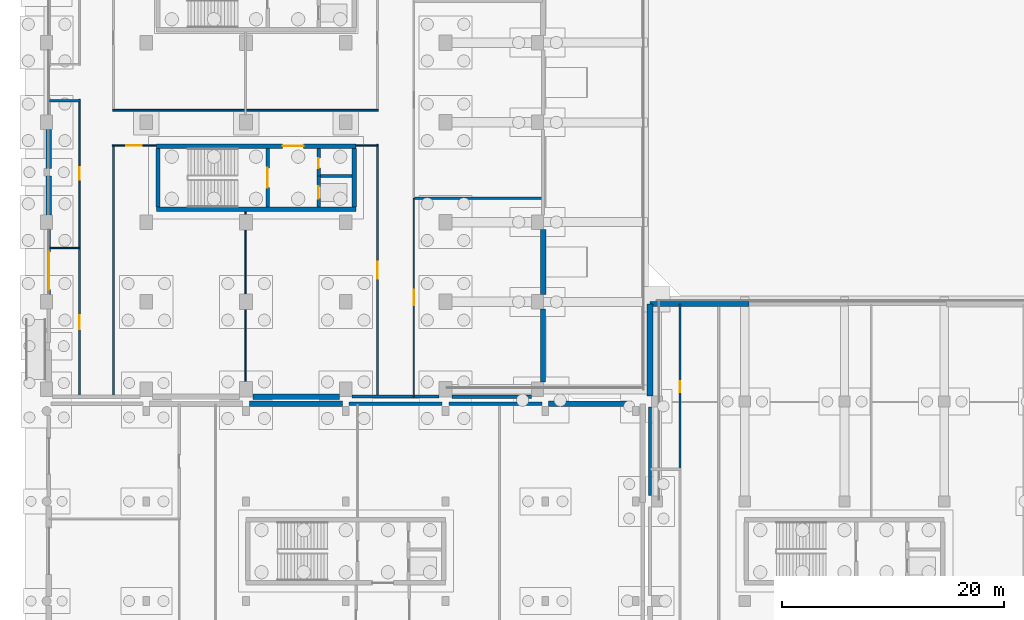
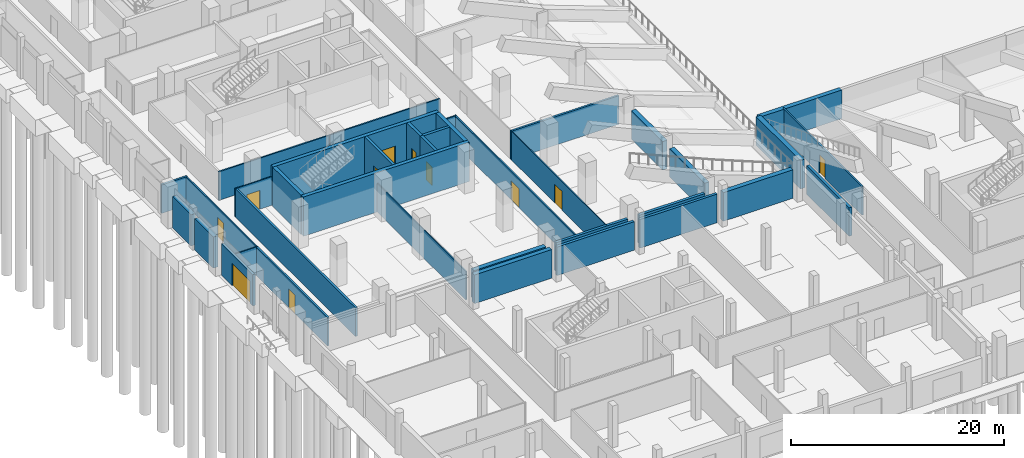
# One storey, part 15 of 53: 37 walls, 11 doors, 11 openings.
"""IFC4 building model written with IfcOpenShell, lengths in metres."""

from ifc_helpers import new_model, si_unit, direction, frame, frame_2d, origin, place, context, subcontext, project, spatial, rectangle, extrude, material, layer, layer_set, type_object, element, fill, save


model = new_model("IFC4")

# Units and contexts
model_context = context("Model", 3, precision=1e-05, world=origin(), true_north=direction((0.0, 1.0)))
body_context = subcontext(model_context, "Body", "Model", "MODEL_VIEW")
ifc_project = project(units=[si_unit("LENGTHUNIT", "METRE"), si_unit("AREAUNIT", "SQUARE_METRE"), si_unit("VOLUMEUNIT", "CUBIC_METRE"), si_unit("PLANEANGLEUNIT", "RADIAN"), si_unit("MASSUNIT", "GRAM", prefix="KILO"), si_unit("THERMODYNAMICTEMPERATUREUNIT", "KELVIN"), si_unit("POWERUNIT", "WATT")], contexts=[model_context])

# Site, building, storey
site_placement = place(None, origin())
site = spatial("IfcSite", under=ifc_project, at=site_placement, CompositionType="ELEMENT")
building_placement = place(site_placement, origin())
building = spatial("IfcBuilding", under=site, at=building_placement, Name="Sindhuravela Promenade Stadium", CompositionType="ELEMENT")
storey_placement = place(building_placement, origin())
storey = spatial("IfcBuildingStorey", under=building, at=storey_placement, Name="L00", CompositionType="ELEMENT", Elevation=0.0)

# Wall, opening, door
ifc_material_1 = material(Name="Dholpur sandstone ashlar (45 MPa)", Category="masonry")
ifc_layer_1 = layer(ifc_material_1, 0.2900390625)
ifc_layer_set_1 = layer_set([ifc_layer_1], Name="Dholpur sandstone ashlar (45 MPa)")
wall_type_1 = type_object("IfcWallType", Name="EX-WL-SND290", PredefinedType="SOLIDWALL", material=ifc_layer_set_1)
wall_1_placement = place(storey_placement, frame((0.199951171875, 45.655029296875, 0.0), z_axis=(0.0, 0.0, 1.0), x_axis=(0.0, 1.0, 0.0)))
wall_1 = element("IfcWall", 1, at=wall_1_placement, inside=storey, type_object=wall_type_1, Name="Exterior masonry wall EW10 WEST L00", PredefinedType="SOLIDWALL", context=body_context, shape_type="SweptSolid", body=[
    extrude(rectangle(XDim=5.889892578125, YDim=0.2900390625, at=frame_2d((2.94482421875, 0.0))), origin(), (0.0, 0.0, 1.0), 3.580078125),
])
opening_1_placement = place(wall_1_placement, frame((0.4599609375, 0.0, 0.0)))
opening_1 = element("IfcOpeningElement", 2, at=opening_1_placement, cuts=wall_1, Name="Opening E11", PredefinedType="OPENING", context=body_context, shape_type="SweptSolid", body=[
    extrude(rectangle(XDim=3.39990234375, YDim=2.550048828125, at=frame_2d((1.699951171875, 1.27490234375))), frame((0.0, 0.155029296875, 0.0), z_axis=(0.0, -1.0, 0.0), x_axis=(1.0, 0.0, 0.0)), (0.0, 0.0, 1.0), 0.31005859375),
])
ifc_material_2 = material(Name="Anodised architectural aluminium 6063-T6", Category="aluminium")
door_type_1 = type_object("IfcDoorType", Name="DR-EXIT-3400x2550", OperationType="DOUBLE_DOOR_SINGLE_SWING", PredefinedType="DOOR", material=ifc_material_2)
door_1_placement = place(opening_1_placement, origin())
door_1 = element("IfcDoor", 3, at=door_1_placement, inside=storey, type_object=door_type_1, Name="Final exit door E11", OperationType="DOUBLE_DOOR_SINGLE_SWING", OverallHeight=2.550048828125, OverallWidth=3.39990234375, PredefinedType="DOOR", context=body_context, shape_type="SweptSolid", body=[
    extrude(rectangle(XDim=3.39990234375, YDim=2.550048828125, at=frame_2d((1.699951171875, 1.27490234375))), frame((0.0, 0.02490234375, 0.0), z_axis=(0.0, -1.0, 0.0), x_axis=(1.0, 0.0, 0.0)), (0.0, 0.0, 1.0), 0.050048828125),
])
fill(opening_1, door_1)

# Walls
wall_2_placement = place(storey_placement, frame((35.39501953125, 36.449951171875, 0.0), z_axis=(0.0, 0.0, 1.0), x_axis=(-1.0, 0.0, 0.0)))
element("IfcWall", 4, at=wall_2_placement, inside=storey, type_object=wall_type_1, Name="Exterior masonry wall EW10 WEST L00", PredefinedType="SOLIDWALL", context=body_context, shape_type="SweptSolid", body=[
    extrude(rectangle(XDim=7.840087890625, YDim=0.2900390625, at=frame_2d((3.919921875, 0.0))), origin(), (0.0, 0.0, 1.0), 3.280029296875),
])
wall_3_placement = place(storey_placement, frame((54.449951171875, 27.5048828125, 0.0), z_axis=(0.0, 0.0, 1.0), x_axis=(0.0, 1.0, 0.0)))
element("IfcWall", 5, at=wall_3_placement, inside=storey, type_object=wall_type_1, Name="Exterior masonry wall EW10 SOUTH L00", PredefinedType="SOLIDWALL", context=body_context, shape_type="SweptSolid", body=[
    extrude(rectangle(XDim=7.990234375, YDim=0.2900390625, at=frame_2d((3.9951171875, 0.0))), origin(), (0.0, 0.0, 1.0), 3.280029296875),
])
wall_4_placement = place(storey_placement, frame((36.304931640625, 35.800048828125, 0.0), z_axis=(0.0, 0.0, 1.0), x_axis=(1.0, 0.0, 0.0)))
element("IfcWall", 6, at=wall_4_placement, inside=storey, type_object=wall_type_1, Name="Exterior masonry wall EW10 Pavilion SW L00", PredefinedType="SOLIDWALL", context=body_context, shape_type="SweptSolid", body=[
    extrude(rectangle(XDim=8.39013671875, YDim=0.2900390625, at=frame_2d((4.195068359375, 0.0))), origin(), (0.0, 0.0, 1.0), 3.280029296875),
])
ifc_layer_2 = layer(ifc_material_1, 0.31005859375)
ifc_layer_set_2 = layer_set([ifc_layer_2], Name="Dholpur sandstone ashlar (45 MPa)")
wall_type_2 = type_object("IfcWallType", Name="EX-WL-SND310", PredefinedType="SOLIDWALL", material=ifc_layer_set_2)
wall_5_placement = place(storey_placement, frame((43.7451171875, 36.449951171875, 0.0), z_axis=(0.0, 0.0, 1.0), x_axis=(-1.0, 0.0, 0.0)))
element("IfcWall", 7, at=wall_5_placement, inside=storey, type_object=wall_type_2, Name="Exterior masonry wall EW09 WEST L00", PredefinedType="SOLIDWALL", context=body_context, shape_type="SweptSolid", body=[
    extrude(rectangle(XDim=7.14013671875, YDim=0.31005859375, at=frame_2d((3.570068359375, 0.0))), origin(), (0.0, 0.0, 1.0), 3.280029296875),
])
wall_6_placement = place(storey_placement, frame((27.304931640625, 35.800048828125, 0.0), z_axis=(0.0, 0.0, 1.0), x_axis=(1.0, 0.0, 0.0)))
element("IfcWall", 8, at=wall_6_placement, inside=storey, type_object=wall_type_2, Name="Exterior masonry wall EW09 Pavilion SW L00", PredefinedType="SOLIDWALL", context=body_context, shape_type="SweptSolid", body=[
    extrude(rectangle(XDim=8.39013671875, YDim=0.31005859375, at=frame_2d((4.195068359375, 0.0))), origin(), (0.0, 0.0, 1.0), 3.280029296875),
])
ifc_layer_3 = layer(ifc_material_1, 0.47998046875)
ifc_layer_set_3 = layer_set([ifc_layer_3], Name="Dholpur sandstone ashlar (45 MPa)")
wall_type_3 = type_object("IfcWallType", Name="EX-WL-SND480", PredefinedType="SOLIDWALL", material=ifc_layer_set_3)
wall_7_placement = place(storey_placement, frame((0.199951171875, 57.054931640625, 0.0), z_axis=(0.0, 0.0, 1.0), x_axis=(0.0, 1.0, 0.0)))
element("IfcWall", 9, at=wall_7_placement, inside=storey, type_object=wall_type_3, Name="Exterior masonry wall EW08 WEST L00", PredefinedType="SOLIDWALL", context=body_context, shape_type="SweptSolid", body=[
    extrude(rectangle(XDim=3.489990234375, YDim=0.47998046875, at=frame_2d((1.7451171875, 0.0))), origin(), (0.0, 0.0, 1.0), 3.580078125),
])
wall_8_placement = place(storey_placement, frame((44.800048828125, 44.344970703125, 0.0), z_axis=(0.0, 0.0, 1.0), x_axis=(0.0, -1.0, 0.0)))
element("IfcWall", 10, at=wall_8_placement, inside=storey, type_object=wall_type_3, Name="Exterior masonry wall EW08 WEST L00", PredefinedType="SOLIDWALL", context=body_context, shape_type="SweptSolid", body=[
    extrude(rectangle(XDim=6.590087890625, YDim=0.47998046875, at=frame_2d((3.294921875, 0.0))), origin(), (0.0, 0.0, 1.0), 3.280029296875),
])
wall_9_placement = place(storey_placement, frame((54.449951171875, 44.800048828125, 0.0), z_axis=(0.0, 0.0, 1.0), x_axis=(1.0, 0.0, 0.0)))
element("IfcWall", 11, at=wall_9_placement, inside=storey, type_object=wall_type_3, Name="Exterior masonry wall EW08 SOUTH L00", PredefinedType="SOLIDWALL", context=body_context, shape_type="SweptSolid", body=[
    extrude(rectangle(XDim=8.925048828125, YDim=0.47998046875, at=frame_2d((4.46240234375, 0.0))), origin(), (0.0, 0.0, 1.0), 3.280029296875),
])
wall_10_placement = place(storey_placement, frame((18.304931640625, 35.800048828125, 0.0), z_axis=(0.0, 0.0, 1.0), x_axis=(1.0, 0.0, 0.0)))
element("IfcWall", 12, at=wall_10_placement, inside=storey, type_object=wall_type_3, Name="Exterior masonry wall EW08 Pavilion SW L00", PredefinedType="SOLIDWALL", context=body_context, shape_type="SweptSolid", body=[
    extrude(rectangle(XDim=8.39013671875, YDim=0.47998046875, at=frame_2d((4.195068359375, 0.0))), origin(), (0.0, 0.0, 1.0), 3.280029296875),
])
ifc_layer_4 = layer(ifc_material_1, 0.5)
ifc_layer_set_4 = layer_set([ifc_layer_4], Name="Dholpur sandstone ashlar (45 MPa)")
wall_type_4 = type_object("IfcWallType", Name="EX-WL-SND500", PredefinedType="SOLIDWALL", material=ifc_layer_set_4)
wall_11_placement = place(storey_placement, frame((0.199951171875, 52.85498046875, 0.0), z_axis=(0.0, 0.0, 1.0), x_axis=(0.0, 1.0, 0.0)))
element("IfcWall", 13, at=wall_11_placement, inside=storey, type_object=wall_type_4, Name="Exterior masonry wall EW07 WEST L00", PredefinedType="SOLIDWALL", context=body_context, shape_type="SweptSolid", body=[
    extrude(rectangle(XDim=3.489990234375, YDim=0.5, at=frame_2d((1.7451171875, 0.0))), origin(), (0.0, 0.0, 1.0), 3.580078125),
])
wall_12_placement = place(storey_placement, frame((44.800048828125, 51.544921875, 0.0), z_axis=(0.0, 0.0, 1.0), x_axis=(0.0, -1.0, 0.0)))
element("IfcWall", 14, at=wall_12_placement, inside=storey, type_object=wall_type_4, Name="Exterior masonry wall EW07 WEST L00", PredefinedType="SOLIDWALL", context=body_context, shape_type="SweptSolid", body=[
    extrude(rectangle(XDim=5.889892578125, YDim=0.5, at=frame_2d((2.94482421875, 0.0))), origin(), (0.0, 0.0, 1.0), 3.280029296875),
])
wall_13_placement = place(storey_placement, frame((26.445068359375, 36.449951171875, 0.0), z_axis=(0.0, 0.0, 1.0), x_axis=(-1.0, 0.0, 0.0)))
element("IfcWall", 15, at=wall_13_placement, inside=storey, type_object=wall_type_4, Name="Exterior masonry wall EW07 WEST L00", PredefinedType="SOLIDWALL", context=body_context, shape_type="SweptSolid", body=[
    extrude(rectangle(XDim=7.840087890625, YDim=0.5, at=frame_2d((3.919921875, 0.0))), origin(), (0.0, 0.0, 1.0), 3.280029296875),
])
wall_14_placement = place(storey_placement, frame((54.449951171875, 36.5048828125, 0.0), z_axis=(0.0, 0.0, 1.0), x_axis=(0.0, 1.0, 0.0)))
element("IfcWall", 16, at=wall_14_placement, inside=storey, type_object=wall_type_4, Name="Exterior masonry wall EW07 SOUTH L00", PredefinedType="SOLIDWALL", context=body_context, shape_type="SweptSolid", body=[
    extrude(rectangle(XDim=8.295166015625, YDim=0.5, at=frame_2d((4.1474609375, 0.0))), origin(), (0.0, 0.0, 1.0), 3.280029296875),
])
wall_15_placement = place(storey_placement, frame((45.304931640625, 35.800048828125, 0.0), z_axis=(0.0, 0.0, 1.0), x_axis=(1.0, 0.0, 0.0)))
element("IfcWall", 17, at=wall_15_placement, inside=storey, type_object=wall_type_4, Name="Exterior masonry wall EW07 Pavilion SW L00", PredefinedType="SOLIDWALL", context=body_context, shape_type="SweptSolid", body=[
    extrude(rectangle(XDim=7.5400390625, YDim=0.5, at=frame_2d((3.77001953125, 0.0))), origin(), (0.0, 0.0, 1.0), 3.280029296875),
])
ifc_material_3 = material(Name="Fire-rated gypsum partition board", Category="gypsum")
ifc_layer_5 = layer(ifc_material_3, 0.110107421875)
ifc_layer_set_5 = layer_set([ifc_layer_5], Name="Fire-rated gypsum partition board")
wall_type_5 = type_object("IfcWallType", Name="IN-WL-PAR110", PredefinedType="PARTITIONING", material=ifc_layer_set_5)
wall_16_placement = place(storey_placement, frame((17.949951171875, 53.14794921875, 0.0), z_axis=(0.0, 0.0, 1.0), x_axis=(0.0, -1.0, 0.0)))
element("IfcWall", 18, at=wall_16_placement, inside=storey, type_object=wall_type_5, Name="Interior partition IW06 WEST L00", PredefinedType="PARTITIONING", context=body_context, shape_type="SweptSolid", body=[
    extrude(rectangle(XDim=16.657958984375, YDim=0.110107421875, at=frame_2d((8.3291015625, 0.0))), origin(), (0.0, 0.0, 1.0), 3.280029296875),
])

# Wall, opening, door
wall_17_placement = place(storey_placement, frame((33.139892578125, 54.342041015625, 0.0), z_axis=(0.0, 0.0, 1.0), x_axis=(0.0, -1.0, 0.0)))
wall_17 = element("IfcWall", 19, at=wall_17_placement, inside=storey, type_object=wall_type_5, Name="Corridor partition IW06 Match Officials Suite", PredefinedType="PARTITIONING", context=body_context, shape_type="SweptSolid", body=[
    extrude(rectangle(XDim=17.89208984375, YDim=0.110107421875, at=frame_2d((8.946044921875, 0.0))), origin(), (0.0, 0.0, 1.0), 3.280029296875),
])
opening_2_placement = place(wall_17_placement, frame((8.24609375, 0.0, 0.0)))
opening_2 = element("IfcOpeningElement", 20, at=opening_2_placement, cuts=wall_17, Name="Opening ID03", PredefinedType="OPENING", context=body_context, shape_type="SweptSolid", body=[
    extrude(rectangle(XDim=1.39990234375, YDim=2.14990234375, at=frame_2d((0.699951171875, 1.074951171875))), frame((0.0, 0.06494140625, 0.0), z_axis=(0.0, -1.0, 0.0), x_axis=(1.0, 0.0, 0.0)), (0.0, 0.0, 1.0), 0.130126953125),
])
ifc_material_4 = material(Name="Architectural teak timber leaf", Category="wood")
door_type_2 = type_object("IfcDoorType", Name="DR-INT-1400x2150", OperationType="DOUBLE_DOOR_SINGLE_SWING", PredefinedType="DOOR", material=ifc_material_4)
door_2_placement = place(opening_2_placement, origin())
door_2 = element("IfcDoor", 21, at=door_2_placement, inside=storey, type_object=door_type_2, Name="Match Officials Suite door", OperationType="DOUBLE_DOOR_SINGLE_SWING", OverallHeight=2.14990234375, OverallWidth=1.39990234375, PredefinedType="DOOR", context=body_context, shape_type="SweptSolid", body=[
    extrude(rectangle(XDim=1.39990234375, YDim=2.14990234375, at=frame_2d((0.699951171875, 1.074951171875))), frame((0.0, 0.02490234375, 0.0), z_axis=(0.0, -1.0, 0.0), x_axis=(1.0, 0.0, 0.0)), (0.0, 0.0, 1.0), 0.050048828125),
])
fill(opening_2, door_2)

# Wall
wall_18_placement = place(storey_placement, frame((3.0400390625, 49.864990234375, 0.0), z_axis=(0.0, 0.0, 1.0), x_axis=(-1.0, 0.0, 0.0)))
element("IfcWall", 22, at=wall_18_placement, inside=storey, type_object=wall_type_5, Name="Interior partition IW06 WEST L00", PredefinedType="PARTITIONING", context=body_context, shape_type="SweptSolid", body=[
    extrude(rectangle(XDim=2.800048828125, YDim=0.110107421875, at=frame_2d((1.39990234375, 0.0))), origin(), (0.0, 0.0, 1.0), 3.280029296875),
])

# Wall, opening, door
ifc_layer_6 = layer(ifc_material_3, 0.1298828125)
ifc_layer_set_6 = layer_set([ifc_layer_6], Name="Fire-rated gypsum partition board")
wall_type_6 = type_object("IfcWallType", Name="IN-WL-PAR130", PredefinedType="PARTITIONING", material=ifc_layer_set_6)
wall_19_placement = place(storey_placement, frame((9.89794921875, 59.110107421875, 0.0), z_axis=(0.0, 0.0, 1.0), x_axis=(-1.0, 0.0, 0.0)))
wall_19 = element("IfcWall", 23, at=wall_19_placement, inside=storey, type_object=wall_type_6, Name="Corridor partition IW05 Field-Side Lower Tier Stands West", PredefinedType="PARTITIONING", context=body_context, shape_type="SweptSolid", body=[
    extrude(rectangle(XDim=3.97802734375, YDim=0.1298828125, at=frame_2d((1.989013671875, 0.0))), origin(), (0.0, 0.0, 1.0), 3.280029296875),
])
opening_3_placement = place(wall_19_placement, frame((1.327880859375, 0.0, 0.0)))
opening_3 = element("IfcOpeningElement", 24, at=opening_3_placement, cuts=wall_19, Name="Opening ID03", PredefinedType="OPENING", context=body_context, shape_type="SweptSolid", body=[
    extrude(rectangle(XDim=1.39990234375, YDim=2.14990234375, at=frame_2d((0.699951171875, 1.074951171875))), frame((0.0, 0.074951171875, 0.0), z_axis=(0.0, -1.0, 0.0), x_axis=(1.0, 0.0, 0.0)), (0.0, 0.0, 1.0), 0.14990234375),
])
door_3_placement = place(opening_3_placement, origin())
door_3 = element("IfcDoor", 25, at=door_3_placement, inside=storey, type_object=door_type_2, Name="Field-Side Lower Tier Stands West door", OperationType="DOUBLE_DOOR_SINGLE_SWING", OverallHeight=2.14990234375, OverallWidth=1.39990234375, PredefinedType="DOOR", context=body_context, shape_type="SweptSolid", body=[
    extrude(rectangle(XDim=1.39990234375, YDim=2.14990234375, at=frame_2d((0.699951171875, 1.074951171875))), frame((0.0, 0.02490234375, 0.0), z_axis=(0.0, -1.0, 0.0), x_axis=(1.0, 0.0, 0.0)), (0.0, 0.0, 1.0), 0.050048828125),
])
fill(opening_3, door_3)

# Wall
wall_20_placement = place(storey_placement, frame((27.902099609375, 59.110107421875, 0.0), z_axis=(0.0, 0.0, 1.0), x_axis=(1.0, 0.0, 0.0)))
element("IfcWall", 26, at=wall_20_placement, inside=storey, type_object=wall_type_6, Name="Interior partition IW05 WEST L00", PredefinedType="PARTITIONING", context=body_context, shape_type="SweptSolid", body=[
    extrude(rectangle(XDim=2.037841796875, YDim=0.1298828125, at=frame_2d((1.01904296875, 0.0))), origin(), (0.0, 0.0, 1.0), 3.280029296875),
])

# Wall, opening, door
wall_21_placement = place(storey_placement, frame((2.9599609375, 49.864990234375, 0.0), z_axis=(0.0, 0.0, 1.0), x_axis=(0.0, 1.0, 0.0)))
wall_21 = element("IfcWall", 27, at=wall_21_placement, inside=storey, type_object=wall_type_6, Name="Corridor partition IW05 Accessible WC West L00 9", PredefinedType="PARTITIONING", context=body_context, shape_type="SweptSolid", body=[
    extrude(rectangle(XDim=13.4150390625, YDim=0.1298828125, at=frame_2d((6.70751953125, 0.0))), origin(), (0.0, 0.0, 1.0), 3.280029296875),
])
opening_4_placement = place(wall_21_placement, frame((6.1474609375, 0.0, 0.0)))
opening_4 = element("IfcOpeningElement", 28, at=opening_4_placement, cuts=wall_21, Name="Opening ID13", PredefinedType="OPENING", context=body_context, shape_type="SweptSolid", body=[
    extrude(rectangle(XDim=1.1201171875, YDim=2.219970703125, at=frame_2d((0.56005859375, 1.10986328125))), frame((0.0, 0.074951171875, 0.0), z_axis=(0.0, -1.0, 0.0), x_axis=(1.0, 0.0, 0.0)), (0.0, 0.0, 1.0), 0.14990234375),
])
door_type_3 = type_object("IfcDoorType", Name="DR-INT-1120x2220", OperationType="NOTDEFINED", PredefinedType="DOOR", material=ifc_material_4)
door_4_placement = place(opening_4_placement, origin())
door_4 = element("IfcDoor", 29, at=door_4_placement, inside=storey, type_object=door_type_3, Name="Accessible WC West L00 9 door", OperationType="SINGLE_SWING_RIGHT", OverallHeight=2.219970703125, OverallWidth=1.1201171875, PredefinedType="DOOR", context=body_context, shape_type="SweptSolid", body=[
    extrude(rectangle(XDim=1.1201171875, YDim=2.219970703125, at=frame_2d((0.56005859375, 1.10986328125))), frame((0.0, 0.02490234375, 0.0), z_axis=(0.0, -1.0, 0.0), x_axis=(1.0, 0.0, 0.0)), (0.0, 0.0, 1.0), 0.050048828125),
])
fill(opening_4, door_4)

ifc_layer_7 = layer(ifc_material_3, 0.14990234375)
ifc_layer_set_7 = layer_set([ifc_layer_7], Name="Fire-rated gypsum partition board")
wall_type_7 = type_object("IfcWallType", Name="IN-WL-PAR150", PredefinedType="PARTITIONING", material=ifc_layer_set_7)
wall_22_placement = place(storey_placement, frame((29.860107421875, 36.449951171875, 0.0), z_axis=(0.0, 0.0, 1.0), x_axis=(0.0, 1.0, 0.0)))
wall_22 = element("IfcWall", 30, at=wall_22_placement, inside=storey, type_object=wall_type_7, Name="Corridor partition IW04 Away Team Changing Suite", PredefinedType="PARTITIONING", context=body_context, shape_type="SweptSolid", body=[
    extrude(rectangle(XDim=22.780029296875, YDim=0.14990234375, at=frame_2d((11.39013671875, 0.0))), origin(), (0.0, 0.0, 1.0), 3.280029296875),
])
opening_5_placement = place(wall_22_placement, frame((10.614990234375, 0.0, 0.0)))
opening_5 = element("IfcOpeningElement", 31, at=opening_5_placement, cuts=wall_22, Name="Opening ID02", PredefinedType="OPENING", context=body_context, shape_type="SweptSolid", body=[
    extrude(rectangle(XDim=1.550048828125, YDim=2.199951171875, at=frame_2d((0.77490234375, 1.10009765625))), frame((0.0, 0.0849609375, 0.0), z_axis=(0.0, -1.0, 0.0), x_axis=(1.0, 0.0, 0.0)), (0.0, 0.0, 1.0), 0.169921875),
])
door_type_4 = type_object("IfcDoorType", Name="DR-INT-1550x2200", OperationType="DOUBLE_DOOR_SINGLE_SWING", PredefinedType="DOOR", material=ifc_material_4)
door_5_placement = place(opening_5_placement, origin())
door_5 = element("IfcDoor", 32, at=door_5_placement, inside=storey, type_object=door_type_4, Name="Away Team Changing Suite door", OperationType="DOUBLE_DOOR_SINGLE_SWING", OverallHeight=2.199951171875, OverallWidth=1.550048828125, PredefinedType="DOOR", context=body_context, shape_type="SweptSolid", body=[
    extrude(rectangle(XDim=1.550048828125, YDim=2.199951171875, at=frame_2d((0.77490234375, 1.10009765625))), frame((0.0, 0.02490234375, 0.0), z_axis=(0.0, -1.0, 0.0), x_axis=(1.0, 0.0, 0.0)), (0.0, 0.0, 1.0), 0.050048828125),
])
fill(opening_5, door_5)

# Walls
for number, where, z_axis, x_axis, name in (
    (33, (17.909912109375, 62.2900390625, 0.0), (0.0, 0.0, 1.0), (-1.0, 0.0, 0.0), "Interior partition IW04 WEST L00"),
    (34, (29.93994140625, 62.2900390625, 0.0), (0.0, 0.0, 1.0), (-1.0, 0.0, 0.0), "Interior partition IW04 WEST L00"),
):
    element("IfcWall", number, at=place(storey_placement, frame(where, z_axis=z_axis, x_axis=x_axis)), inside=storey, type_object=wall_type_7, Name=name, PredefinedType="PARTITIONING", context=body_context, shape_type="SweptSolid", body=[
        extrude(rectangle(XDim=11.949951171875, YDim=0.14990234375, at=frame_2d((5.97509765625, 0.0))), origin(), (0.0, 0.0, 1.0), 3.280029296875),
    ])

# Wall, opening, door
ifc_layer_8 = layer(ifc_material_3, 0.175048828125)
ifc_layer_set_8 = layer_set([ifc_layer_8], Name="Fire-rated gypsum partition board")
wall_type_8 = type_object("IfcWallType", Name="IN-WL-PAR175", PredefinedType="PARTITIONING", material=ifc_layer_set_8)
wall_23_placement = place(storey_placement, frame((57.159912109375, 29.909912109375, 0.0), z_axis=(0.0, 0.0, 1.0), x_axis=(0.0, 1.0, 0.0)))
wall_23 = element("IfcWall", 35, at=wall_23_placement, inside=storey, type_object=wall_type_8, Name="Corridor partition IW03 Public Toilet Block South L00 8", PredefinedType="PARTITIONING", context=body_context, shape_type="SweptSolid", body=[
    extrude(rectangle(XDim=14.89013671875, YDim=0.175048828125, at=frame_2d((7.445068359375, 0.0))), origin(), (0.0, 0.0, 1.0), 3.280029296875),
])
opening_6_placement = place(wall_23_placement, frame((6.945068359375, 0.0, 0.0)))
opening_6 = element("IfcOpeningElement", 36, at=opening_6_placement, cuts=wall_23, Name="Opening ID08", PredefinedType="OPENING", context=body_context, shape_type="SweptSolid", body=[
    extrude(rectangle(XDim=1.0, YDim=2.10009765625, at=frame_2d((0.5, 1.050048828125))), frame((0.0, 0.097412109375, 0.0), z_axis=(0.0, -1.0, 0.0), x_axis=(1.0, 0.0, 0.0)), (0.0, 0.0, 1.0), 0.195068359375),
])
door_type_5 = type_object("IfcDoorType", Name="DR-INT-1000x2100", OperationType="NOTDEFINED", PredefinedType="DOOR", material=ifc_material_4)
door_6_placement = place(opening_6_placement, origin())
door_6 = element("IfcDoor", 37, at=door_6_placement, inside=storey, type_object=door_type_5, Name="Public Toilet Block South L00 8 door", OperationType="SINGLE_SWING_LEFT", OverallHeight=2.10009765625, OverallWidth=1.0, PredefinedType="DOOR", context=body_context, shape_type="SweptSolid", body=[
    extrude(rectangle(XDim=1.0, YDim=2.10009765625, at=frame_2d((0.5, 1.050048828125))), frame((0.0, 0.02490234375, 0.0), z_axis=(0.0, -1.0, 0.0), x_axis=(1.0, 0.0, 0.0)), (0.0, 0.0, 1.0), 0.050048828125),
])
fill(opening_6, door_6)

ifc_layer_9 = layer(ifc_material_3, 0.195068359375)
ifc_layer_set_9 = layer_set([ifc_layer_9], Name="Fire-rated gypsum partition board")
wall_type_9 = type_object("IfcWallType", Name="IN-WL-PAR195", PredefinedType="PARTITIONING", material=ifc_layer_set_9)
wall_24_placement = place(storey_placement, frame((2.9599609375, 36.449951171875, 0.0), z_axis=(0.0, 0.0, 1.0), x_axis=(0.0, 1.0, 0.0)))
wall_24 = element("IfcWall", 38, at=wall_24_placement, inside=storey, type_object=wall_type_9, Name="Corridor partition IW02 Team Shower and Sanitary Block 10", PredefinedType="PARTITIONING", context=body_context, shape_type="SweptSolid", body=[
    extrude(rectangle(XDim=13.4150390625, YDim=0.195068359375, at=frame_2d((6.70751953125, 0.0))), origin(), (0.0, 0.0, 1.0), 3.280029296875),
])
opening_7_placement = place(wall_24_placement, frame((6.08251953125, 0.0, 0.0)))
opening_7 = element("IfcOpeningElement", 39, at=opening_7_placement, cuts=wall_24, Name="Opening ID04", PredefinedType="OPENING", context=body_context, shape_type="SweptSolid", body=[
    extrude(rectangle(XDim=1.25, YDim=2.14990234375, at=frame_2d((0.625, 1.074951171875))), frame((0.0, 0.107421875, 0.0), z_axis=(0.0, -1.0, 0.0), x_axis=(1.0, 0.0, 0.0)), (0.0, 0.0, 1.0), 0.215087890625),
])
door_type_6 = type_object("IfcDoorType", Name="DR-INT-1250x2150", OperationType="NOTDEFINED", PredefinedType="DOOR", material=ifc_material_4)
door_7_placement = place(opening_7_placement, origin())
door_7 = element("IfcDoor", 40, at=door_7_placement, inside=storey, type_object=door_type_6, Name="Team Shower and Sanitary Block 10 door", OperationType="SINGLE_SWING_LEFT", OverallHeight=2.14990234375, OverallWidth=1.25, PredefinedType="DOOR", context=body_context, shape_type="SweptSolid", body=[
    extrude(rectangle(XDim=1.25, YDim=2.14990234375, at=frame_2d((0.625, 1.074951171875))), frame((0.0, 0.02490234375, 0.0), z_axis=(0.0, -1.0, 0.0), x_axis=(1.0, 0.0, 0.0)), (0.0, 0.0, 1.0), 0.050048828125),
])
fill(opening_7, door_7)

# Walls
ifc_layer_10 = layer(ifc_material_3, 0.219970703125)
ifc_layer_set_10 = layer_set([ifc_layer_10], Name="Fire-rated gypsum partition board")
wall_type_10 = type_object("IfcWallType", Name="IN-WL-PAR220", PredefinedType="PARTITIONING", material=ifc_layer_set_10)
wall_25_placement = place(storey_placement, frame((6.0400390625, 36.489990234375, 0.0), z_axis=(0.0, 0.0, 1.0), x_axis=(0.0, 1.0, 0.0)))
element("IfcWall", 41, at=wall_25_placement, inside=storey, type_object=wall_type_10, Name="Interior partition IW01 WEST L00", PredefinedType="PARTITIONING", context=body_context, shape_type="SweptSolid", body=[
    extrude(rectangle(XDim=22.699951171875, YDim=0.219970703125, at=frame_2d((11.35009765625, 0.0))), origin(), (0.0, 0.0, 1.0), 3.280029296875),
])
wall_26_placement = place(storey_placement, frame((33.06005859375, 54.342041015625, 0.0), z_axis=(0.0, 0.0, 1.0), x_axis=(1.0, 0.0, 0.0)))
element("IfcWall", 42, at=wall_26_placement, inside=storey, type_object=wall_type_10, Name="Interior partition IW01 WEST L00", PredefinedType="PARTITIONING", context=body_context, shape_type="SweptSolid", body=[
    extrude(rectangle(XDim=11.699951171875, YDim=0.219970703125, at=frame_2d((5.85009765625, 0.0))), origin(), (0.0, 0.0, 1.0), 3.280029296875),
])
wall_27_placement = place(storey_placement, frame((0.239990234375, 63.159912109375, 0.0), z_axis=(0.0, 0.0, 1.0), x_axis=(1.0, 0.0, 0.0)))
element("IfcWall", 43, at=wall_27_placement, inside=storey, type_object=wall_type_10, Name="Interior partition IW01 WEST L00", PredefinedType="PARTITIONING", context=body_context, shape_type="SweptSolid", body=[
    extrude(rectangle(XDim=2.800048828125, YDim=0.219970703125, at=frame_2d((1.39990234375, 0.0))), origin(), (0.0, 0.0, 1.0), 3.280029296875),
])

# Wall, opening, door
ifc_material_5 = material(Name="Concrete M50", Category="concrete")
ifc_layer_11 = layer(ifc_material_5, 0.300048828125)
ifc_layer_set_11 = layer_set([ifc_layer_11], Name="Concrete M50")
wall_type_11 = type_object("IfcWallType", Name="RC-SW-300", PredefinedType="SHEAR", material=ifc_layer_set_11)
wall_28_placement = place(storey_placement, frame((19.949951171875, 53.550048828125, 0.0), z_axis=(0.0, 0.0, 1.0), x_axis=(0.0, 1.0, 0.0)))
wall_28 = element("IfcWall", 44, at=wall_28_placement, inside=storey, type_object=wall_type_11, Name="Core shear wall C01-ST (L00)", PredefinedType="SHEAR", context=body_context, shape_type="SweptSolid", body=[
    extrude(rectangle(XDim=5.300048828125, YDim=0.300048828125, at=frame_2d((2.64990234375, 0.0))), origin(), (0.0, 0.0, 1.0), 4.5),
])
opening_8_placement = place(wall_28_placement, frame((1.75, 0.0, 0.0)))
opening_8 = element("IfcOpeningElement", 45, at=opening_8_placement, cuts=wall_28, Name="Opening FD01", PredefinedType="OPENING", context=body_context, shape_type="SweptSolid", body=[
    extrude(rectangle(XDim=1.800048828125, YDim=2.25, at=frame_2d((0.89990234375, 1.125))), frame((0.0, 0.159912109375, 0.0), z_axis=(0.0, -1.0, 0.0), x_axis=(1.0, 0.0, 0.0)), (0.0, 0.0, 1.0), 0.320068359375),
])
ifc_material_6 = material(Name="Architectural wrought steel E350", Category="steel")
door_type_7 = type_object("IfcDoorType", Name="DR-CORE-1800x2250", OperationType="DOUBLE_DOOR_SINGLE_SWING", PredefinedType="DOOR", material=ifc_material_6)
door_8_placement = place(opening_8_placement, origin())
door_8 = element("IfcDoor", 46, at=door_8_placement, inside=storey, type_object=door_type_7, Name="Stair ST01 lobby fire door (L00)", OperationType="DOUBLE_DOOR_SINGLE_SWING", OverallHeight=2.25, OverallWidth=1.800048828125, PredefinedType="DOOR", context=body_context, shape_type="SweptSolid", body=[
    extrude(rectangle(XDim=1.800048828125, YDim=2.25, at=frame_2d((0.89990234375, 1.125))), frame((0.0, 0.02490234375, 0.0), z_axis=(0.0, -1.0, 0.0), x_axis=(1.0, 0.0, 0.0)), (0.0, 0.0, 1.0), 0.050048828125),
])
fill(opening_8, door_8)

wall_29_placement = place(storey_placement, frame((24.550048828125, 53.550048828125, 0.0), z_axis=(0.0, 0.0, 1.0), x_axis=(0.0, 1.0, 0.0)))
wall_29 = element("IfcWall", 47, at=wall_29_placement, inside=storey, type_object=wall_type_11, Name="Core shear wall C01-LFT (L00)", PredefinedType="SHEAR", context=body_context, shape_type="SweptSolid", body=[
    extrude(rectangle(XDim=2.800048828125, YDim=0.300048828125, at=frame_2d((1.39990234375, 0.0))), origin(), (0.0, 0.0, 1.0), 4.5),
])
opening_9_placement = place(wall_29_placement, frame((0.77490234375, 0.0, 0.0)))
opening_9 = element("IfcOpeningElement", 48, at=opening_9_placement, cuts=wall_29, Name="Opening LD", PredefinedType="OPENING", context=body_context, shape_type="SweptSolid", body=[
    extrude(rectangle(XDim=1.10009765625, YDim=2.10009765625, at=frame_2d((0.550048828125, 1.050048828125))), frame((0.0, 0.159912109375, 0.0), z_axis=(0.0, -1.0, 0.0), x_axis=(1.0, 0.0, 0.0)), (0.0, 0.0, 1.0), 0.320068359375),
])
door_type_8 = type_object("IfcDoorType", Name="DR-LFT-1100x2100", OperationType="DOUBLE_DOOR_SLIDING", PredefinedType="DOOR", material=ifc_material_6)
door_9_placement = place(opening_9_placement, origin())
door_9 = element("IfcDoor", 49, at=door_9_placement, inside=storey, type_object=door_type_8, Name="Lift FL01 landing door (L00)", OperationType="DOUBLE_DOOR_SLIDING", OverallHeight=2.10009765625, OverallWidth=1.10009765625, PredefinedType="DOOR", context=body_context, shape_type="SweptSolid", body=[
    extrude(rectangle(XDim=1.10009765625, YDim=2.10009765625, at=frame_2d((0.550048828125, 1.050048828125))), frame((0.0, 0.02490234375, 0.0), z_axis=(0.0, -1.0, 0.0), x_axis=(1.0, 0.0, 0.0)), (0.0, 0.0, 1.0), 0.050048828125),
])
fill(opening_9, door_9)

wall_30_placement = place(storey_placement, frame((24.550048828125, 56.35009765625, 0.0), z_axis=(0.0, 0.0, 1.0), x_axis=(0.0, 1.0, 0.0)))
wall_30 = element("IfcWall", 50, at=wall_30_placement, inside=storey, type_object=wall_type_11, Name="Core shear wall C01-RSR (L00)", PredefinedType="SHEAR", context=body_context, shape_type="SweptSolid", body=[
    extrude(rectangle(XDim=2.5, YDim=0.300048828125, at=frame_2d((1.25, 0.0))), origin(), (0.0, 0.0, 1.0), 4.5),
])
opening_10_placement = place(wall_30_placement, frame((0.72509765625, 0.0, 0.0)))
opening_10 = element("IfcOpeningElement", 51, at=opening_10_placement, cuts=wall_30, Name="Opening FD03", PredefinedType="OPENING", context=body_context, shape_type="SweptSolid", body=[
    extrude(rectangle(XDim=0.89990234375, YDim=2.10009765625, at=frame_2d((0.449951171875, 1.050048828125))), frame((0.0, 0.159912109375, 0.0), z_axis=(0.0, -1.0, 0.0), x_axis=(1.0, 0.0, 0.0)), (0.0, 0.0, 1.0), 0.320068359375),
])
door_type_9 = type_object("IfcDoorType", Name="DR-RSR-900x2100", OperationType="NOTDEFINED", PredefinedType="DOOR", material=ifc_material_6)
door_10_placement = place(opening_10_placement, origin())
door_10 = element("IfcDoor", 52, at=door_10_placement, inside=storey, type_object=door_type_9, Name="Riser shaft access door C01 (L00)", OperationType="SINGLE_SWING_LEFT", OverallHeight=2.10009765625, OverallWidth=0.89990234375, PredefinedType="DOOR", context=body_context, shape_type="SweptSolid", body=[
    extrude(rectangle(XDim=0.89990234375, YDim=2.10009765625, at=frame_2d((0.449951171875, 1.050048828125))), frame((0.0, 0.02490234375, 0.0), z_axis=(0.0, -1.0, 0.0), x_axis=(1.0, 0.0, 0.0)), (0.0, 0.0, 1.0), 0.050048828125),
])
fill(opening_10, door_10)

# Walls
wall_31_placement = place(storey_placement, frame((24.699951171875, 56.35009765625, 0.0), z_axis=(0.0, 0.0, 1.0), x_axis=(1.0, 0.0, 0.0)))
element("IfcWall", 53, at=wall_31_placement, inside=storey, type_object=wall_type_11, Name="Core shear wall C01-DIV (L00)", PredefinedType="SHEAR", context=body_context, shape_type="SweptSolid", body=[
    extrude(rectangle(XDim=2.85009765625, YDim=0.300048828125, at=frame_2d((1.425048828125, 0.0))), origin(), (0.0, 0.0, 1.0), 4.5),
])
ifc_layer_12 = layer(ifc_material_5, 0.39990234375)
ifc_layer_set_12 = layer_set([ifc_layer_12], Name="Concrete M50")
wall_type_12 = type_object("IfcWallType", Name="RC-SW-400", PredefinedType="SHEAR", material=ifc_layer_set_12)
wall_32_placement = place(storey_placement, frame((9.89990234375, 53.35009765625, 0.0), z_axis=(0.0, 0.0, 1.0), x_axis=(1.0, 0.0, 0.0)))
element("IfcWall", 54, at=wall_32_placement, inside=storey, type_object=wall_type_12, Name="Core shear wall C01-S (L00)", PredefinedType="SHEAR", context=body_context, shape_type="SweptSolid", body=[
    extrude(rectangle(XDim=18.0, YDim=0.39990234375, at=frame_2d((9.0, 0.0))), origin(), (0.0, 0.0, 1.0), 4.5),
])

# Wall, opening, door
wall_33_placement = place(storey_placement, frame((27.89990234375, 59.050048828125, 0.0), z_axis=(0.0, 0.0, 1.0), x_axis=(-1.0, 0.0, 0.0)))
wall_33 = element("IfcWall", 55, at=wall_33_placement, inside=storey, type_object=wall_type_12, Name="Core shear wall C01-N (L00)", PredefinedType="SHEAR", context=body_context, shape_type="SweptSolid", body=[
    extrude(rectangle(XDim=18.0, YDim=0.39990234375, at=frame_2d((9.0, 0.0))), origin(), (0.0, 0.0, 1.0), 4.5),
])
opening_11_placement = place(wall_33_placement, frame((4.699951171875, 0.0, 0.0)))
opening_11 = element("IfcOpeningElement", 56, at=opening_11_placement, cuts=wall_33, Name="Opening FD02", PredefinedType="OPENING", context=body_context, shape_type="SweptSolid", body=[
    extrude(rectangle(XDim=1.89990234375, YDim=2.25, at=frame_2d((0.949951171875, 1.125))), frame((0.0, 0.2099609375, 0.0), z_axis=(0.0, -1.0, 0.0), x_axis=(1.0, 0.0, 0.0)), (0.0, 0.0, 1.0), 0.419921875),
])
door_type_10 = type_object("IfcDoorType", Name="DR-LOB-1900x2250", OperationType="DOUBLE_DOOR_SINGLE_SWING", PredefinedType="DOOR", material=ifc_material_6)
door_11_placement = place(opening_11_placement, origin())
door_11 = element("IfcDoor", 57, at=door_11_placement, inside=storey, type_object=door_type_10, Name="Protected lobby entrance door C01 (L00)", OperationType="DOUBLE_DOOR_SINGLE_SWING", OverallHeight=2.25, OverallWidth=1.89990234375, PredefinedType="DOOR", context=body_context, shape_type="SweptSolid", body=[
    extrude(rectangle(XDim=1.89990234375, YDim=2.25, at=frame_2d((0.949951171875, 1.125))), frame((0.0, 0.02490234375, 0.0), z_axis=(0.0, -1.0, 0.0), x_axis=(1.0, 0.0, 0.0)), (0.0, 0.0, 1.0), 0.050048828125),
])
fill(opening_11, door_11)

# Walls
for number, where, z_axis, x_axis, name in (
    (58, (10.050048828125, 58.85009765625, 0.0), (0.0, 0.0, 1.0), (0.0, -1.0, 0.0), "Core shear wall C01-W (L00)"),
    (59, (27.75, 53.550048828125, 0.0), (0.0, 0.0, 1.0), (0.0, 1.0, 0.0), "Core shear wall C01-E (L00)"),
):
    element("IfcWall", number, at=place(storey_placement, frame(where, z_axis=z_axis, x_axis=x_axis)), inside=storey, type_object=wall_type_12, Name=name, PredefinedType="SHEAR", context=body_context, shape_type="SweptSolid", body=[
        extrude(rectangle(XDim=5.300048828125, YDim=0.39990234375, at=frame_2d((2.64990234375, 0.0))), origin(), (0.0, 0.0, 1.0), 4.5),
    ])

save(model, "model.ifc")
